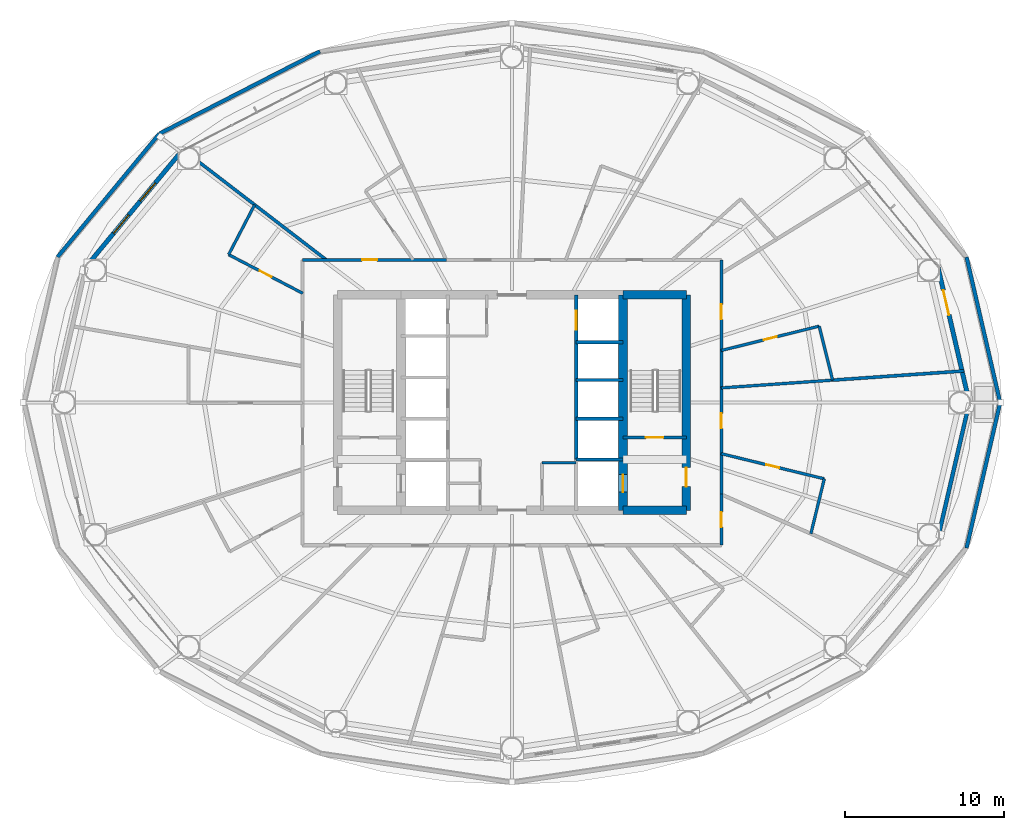
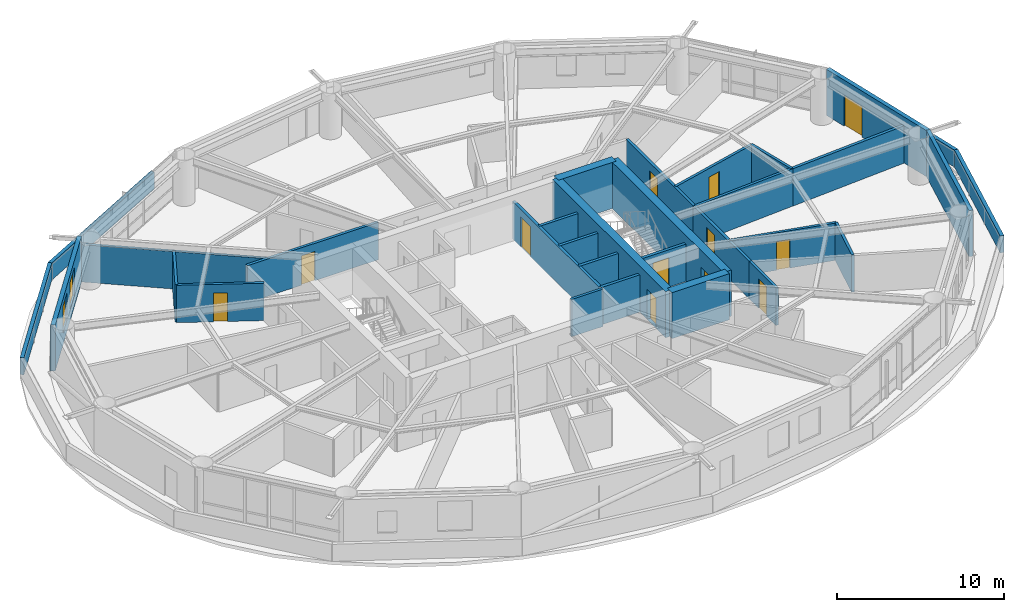
# One storey, part 21 of 25: 31 walls, 12 doors, 2 windows, 14 openings.
"""IFC4 building model written with IfcOpenShell, lengths in metres."""

from ifc_helpers import new_model, si_unit, direction, frame, frame_2d, origin, place, context, subcontext, project, spatial, rectangle, extrude, material, layer, layer_set, type_object, element, fill, save


model = new_model("IFC4")

# Units and contexts
model_context = context("Model", 3, precision=1e-05, world=origin(), true_north=direction((0.0, 1.0)))
body_context = subcontext(model_context, "Body", "Model", "MODEL_VIEW")
ifc_project = project(units=[si_unit("LENGTHUNIT", "METRE"), si_unit("AREAUNIT", "SQUARE_METRE"), si_unit("VOLUMEUNIT", "CUBIC_METRE"), si_unit("PLANEANGLEUNIT", "RADIAN"), si_unit("MASSUNIT", "GRAM", prefix="KILO")], contexts=[model_context])

# Site, building, storey
site_placement = place(None, origin())
site = spatial("IfcSite", under=ifc_project, at=site_placement, CompositionType="ELEMENT")
building_placement = place(site_placement, origin())
building = spatial("IfcBuilding", under=site, at=building_placement, Name="Sarneth Arch Tower", CompositionType="ELEMENT")
storey_placement = place(building_placement, frame((0.0, 0.0, 84.0)))
storey = spatial("IfcBuildingStorey", under=building, at=storey_placement, Name="L20", CompositionType="ELEMENT", Elevation=84.0)

# Walls
ifc_material_1 = material(Name="Concrete C60/75", Category="concrete")
ifc_layer_1 = layer(ifc_material_1, 0.550048828125)
ifc_layer_set_1 = layer_set([ifc_layer_1], Name="Concrete C60/75")
wall_type_1 = type_object("IfcWallType", Name="WALL-CORE-550", PredefinedType="SHEAR", material=ifc_layer_set_1)
for number, where, z_axis, x_axis, name in (
    (1, (55.0, 35.199951171875, 0.0), (0.0, 0.0, 1.0), (1.0, 0.0, 0.0), "L20 Core shear wall S-E"),
    (2, (55.0, 48.800048828125, 0.0), (0.0, 0.0, 1.0), (1.0, 0.0, 0.0), "L20 Core shear wall N-E"),
):
    element("IfcWall", number, at=place(storey_placement, frame(where, z_axis=z_axis, x_axis=x_axis)), inside=storey, type_object=wall_type_1, Name=name, PredefinedType="SHEAR", context=body_context, shape_type="SweptSolid", body=[
        extrude(rectangle(XDim=4.0, YDim=0.550048828125, at=frame_2d((2.0, 0.0))), origin(), (0.0, 0.0, 1.0), 3.3798828125),
    ])

# Wall, opening, door
wall_1_placement = place(storey_placement, frame((59.0, 35.199951171875, 0.0), z_axis=(0.0, 0.0, 1.0), x_axis=(0.0, 1.0, 0.0)))
wall_1 = element("IfcWall", 3, at=wall_1_placement, inside=storey, type_object=wall_type_1, Name="L20 Core shear wall E", PredefinedType="SHEAR", context=body_context, shape_type="SweptSolid", body=[
    extrude(rectangle(XDim=13.60009765625, YDim=0.550048828125, at=frame_2d((6.800048828125, 0.0))), origin(), (0.0, 0.0, 1.0), 3.3798828125),
])
opening_1_placement = place(wall_1_placement, frame((1.5, 0.0, 0.0)))
opening_1 = element("IfcOpeningElement", 4, at=opening_1_placement, cuts=wall_1, Name="Opening FD-02", PredefinedType="OPENING", context=body_context, shape_type="SweptSolid", body=[
    extrude(rectangle(XDim=1.199951171875, YDim=2.14990234375, at=frame_2d((0.60009765625, 1.074951171875))), frame((0.0, 0.284912109375, 0.0), z_axis=(0.0, -1.0, 0.0), x_axis=(1.0, 0.0, 0.0)), (0.0, 0.0, 1.0), 0.570068359375),
])
ifc_material_2 = material(Name="Galvanised Steel S275 fire door set", Category="steel")
door_type_1 = type_object("IfcDoorType", Name="DR-FD90-1200", OperationType="SINGLE_SWING_LEFT", PredefinedType="DOOR", material=ifc_material_2)
door_1_placement = place(opening_1_placement, origin())
door_1 = element("IfcDoor", 5, at=door_1_placement, inside=storey, type_object=door_type_1, Name="L20 Firefighting lobby 2 exit door", OperationType="SINGLE_SWING_RIGHT", OverallHeight=2.14990234375, OverallWidth=1.199951171875, PredefinedType="DOOR", context=body_context, shape_type="SweptSolid", body=[
    extrude(rectangle(XDim=1.199951171875, YDim=2.14990234375, at=frame_2d((0.60009765625, 1.074951171875))), frame((0.0, 0.02490234375, 0.0), z_axis=(0.0, -1.0, 0.0), x_axis=(1.0, 0.0, 0.0)), (0.0, 0.0, 1.0), 0.050048828125),
])
fill(opening_1, door_1)

wall_2_placement = place(storey_placement, frame((55.0, 35.199951171875, 0.0), z_axis=(0.0, 0.0, 1.0), x_axis=(0.0, 1.0, 0.0)))
wall_2 = element("IfcWall", 6, at=wall_2_placement, inside=storey, type_object=wall_type_1, Name="L20 Core shear wall WEB-E", PredefinedType="SHEAR", context=body_context, shape_type="SweptSolid", body=[
    extrude(rectangle(XDim=13.60009765625, YDim=0.550048828125, at=frame_2d((6.800048828125, 0.0))), origin(), (0.0, 0.0, 1.0), 3.3798828125),
])
opening_2_placement = place(wall_2_placement, frame((1.14990234375, 0.0, 0.0)))
opening_2 = element("IfcOpeningElement", 7, at=opening_2_placement, cuts=wall_2, Name="Opening LD-1", PredefinedType="OPENING", context=body_context, shape_type="SweptSolid", body=[
    extrude(rectangle(XDim=1.10009765625, YDim=2.199951171875, at=frame_2d((0.550048828125, 1.10009765625))), frame((0.0, 0.284912109375, 0.0), z_axis=(0.0, -1.0, 0.0), x_axis=(1.0, 0.0, 0.0)), (0.0, 0.0, 1.0), 0.570068359375),
])
ifc_material_3 = material(Name="Brushed Stainless Steel 304 lift landing door", Category="steel")
door_type_2 = type_object("IfcDoorType", Name="DR-LIFT-SLIDE-1100", OperationType="SLIDING_TO_LEFT", PredefinedType="DOOR", material=ifc_material_3)
door_2_placement = place(opening_2_placement, origin())
door_2 = element("IfcDoor", 8, at=door_2_placement, inside=storey, type_object=door_type_2, Name="L20 Firefighting lift landing door FL-2", OperationType="SLIDING_TO_RIGHT", OverallHeight=2.199951171875, OverallWidth=1.10009765625, PredefinedType="DOOR", context=body_context, shape_type="SweptSolid", body=[
    extrude(rectangle(XDim=1.10009765625, YDim=2.199951171875, at=frame_2d((0.550048828125, 1.10009765625))), frame((0.0, 0.02490234375, 0.0), z_axis=(0.0, -1.0, 0.0), x_axis=(1.0, 0.0, 0.0)), (0.0, 0.0, 1.0), 0.050048828125),
])
fill(opening_2, door_2)

ifc_material_4 = material(Name="Double steel-stud corridor fire wall", Category="steel")
ifc_layer_2 = layer(ifc_material_4, 0.18994140625)
ifc_layer_set_2 = layer_set([ifc_layer_2], Name="Double steel-stud corridor fire wall")
wall_type_2 = type_object("IfcWallType", Name="WALL-CORR-190", PredefinedType="PARTITIONING", material=ifc_layer_set_2)
wall_3_placement = place(storey_placement, frame((34.800048828125, 51.0, 0.0), z_axis=(0.0, 0.0, 1.0), x_axis=(1.0, 0.0, 0.0)))
wall_3 = element("IfcWall", 9, at=wall_3_placement, inside=storey, type_object=wall_type_2, Name="L20 Interior partition W-L20-TP-009", PredefinedType="PARTITIONING", context=body_context, shape_type="SweptSolid", body=[
    extrude(rectangle(XDim=9.08251953125, YDim=0.18994140625, at=frame_2d((4.541259765625, 0.0))), origin(), (0.0, 0.0, 1.0), 2.739990234375),
])
opening_3_placement = place(wall_3_placement, frame((3.741455078125, 0.0, 0.0)))
opening_3 = element("IfcOpeningElement", 10, at=opening_3_placement, cuts=wall_3, Name="Opening FD-09", PredefinedType="OPENING", context=body_context, shape_type="SweptSolid", body=[
    extrude(rectangle(XDim=0.949951171875, YDim=2.14990234375, at=frame_2d((0.47509765625, 1.074951171875))), frame((0.0, 0.10498046875, 0.0), z_axis=(0.0, -1.0, 0.0), x_axis=(1.0, 0.0, 0.0)), (0.0, 0.0, 1.0), 0.2099609375),
])
ifc_material_5 = material(Name="Hardwood timber hotel entrance fire door", Category="wood")
door_type_3 = type_object("IfcDoorType", Name="DR-FD60-950", OperationType="SINGLE_SWING_RIGHT", PredefinedType="DOOR", material=ifc_material_5)
door_3_placement = place(opening_3_placement, origin())
door_3 = element("IfcDoor", 11, at=door_3_placement, inside=storey, type_object=door_type_3, Name="L20 Interior door DR-L20-KEY-05", OperationType="SINGLE_SWING_LEFT", OverallHeight=2.14990234375, OverallWidth=0.949951171875, PredefinedType="DOOR", context=body_context, shape_type="SweptSolid", body=[
    extrude(rectangle(XDim=0.949951171875, YDim=2.14990234375, at=frame_2d((0.47509765625, 1.074951171875))), frame((0.0, 0.02490234375, 0.0), z_axis=(0.0, -1.0, 0.0), x_axis=(1.0, 0.0, 0.0)), (0.0, 0.0, 1.0), 0.050048828125),
])
fill(opening_3, door_3)

wall_4_placement = place(storey_placement, frame((61.199951171875, 51.0, 0.0), z_axis=(0.0, 0.0, 1.0), x_axis=(0.0, -1.0, 0.0)))
wall_4 = element("IfcWall", 12, at=wall_4_placement, inside=storey, type_object=wall_type_2, Name="L20 Interior partition W-L20-TP-001", PredefinedType="PARTITIONING", context=body_context, shape_type="SweptSolid", body=[
    extrude(rectangle(XDim=8.109130859375, YDim=0.18994140625, at=frame_2d((4.0546875, 0.0))), origin(), (0.0, 0.0, 1.0), 2.739990234375),
])
opening_4_placement = place(wall_4_placement, frame((2.805908203125, 0.0, 0.0)))
opening_4 = element("IfcOpeningElement", 13, at=opening_4_placement, cuts=wall_4, Name="Opening FD-09", PredefinedType="OPENING", context=body_context, shape_type="SweptSolid", body=[
    extrude(rectangle(XDim=0.949951171875, YDim=2.14990234375, at=frame_2d((0.47509765625, 1.074951171875))), frame((0.0, 0.10498046875, 0.0), z_axis=(0.0, -1.0, 0.0), x_axis=(1.0, 0.0, 0.0)), (0.0, 0.0, 1.0), 0.2099609375),
])
door_4_placement = place(opening_4_placement, origin())
door_4 = element("IfcDoor", 14, at=door_4_placement, inside=storey, type_object=door_type_3, Name="L20 Interior door DR-L20-KEY-01", OperationType="SINGLE_SWING_LEFT", OverallHeight=2.14990234375, OverallWidth=0.949951171875, PredefinedType="DOOR", context=body_context, shape_type="SweptSolid", body=[
    extrude(rectangle(XDim=0.949951171875, YDim=2.14990234375, at=frame_2d((0.47509765625, 1.074951171875))), frame((0.0, 0.02490234375, 0.0), z_axis=(0.0, -1.0, 0.0), x_axis=(1.0, 0.0, 0.0)), (0.0, 0.0, 1.0), 0.050048828125),
])
fill(opening_4, door_4)

wall_5_placement = place(storey_placement, frame((61.199951171875, 42.955078125, 0.0), z_axis=(0.0, 0.0, 1.0), x_axis=(0.0, -1.0, 0.0)))
wall_5 = element("IfcWall", 15, at=wall_5_placement, inside=storey, type_object=wall_type_2, Name="L20 Interior partition W-L20-TP-027", PredefinedType="PARTITIONING", context=body_context, shape_type="SweptSolid", body=[
    extrude(rectangle(XDim=6.7822265625, YDim=0.18994140625, at=frame_2d((3.39111328125, 0.0))), origin(), (0.0, 0.0, 1.0), 2.739990234375),
])
opening_5_placement = place(wall_5_placement, frame((1.630615234375, 0.0, 0.0)))
opening_5 = element("IfcOpeningElement", 16, at=opening_5_placement, cuts=wall_5, Name="Opening FD-09", PredefinedType="OPENING", context=body_context, shape_type="SweptSolid", body=[
    extrude(rectangle(XDim=0.949951171875, YDim=2.14990234375, at=frame_2d((0.47509765625, 1.074951171875))), frame((0.0, 0.10498046875, 0.0), z_axis=(0.0, -1.0, 0.0), x_axis=(1.0, 0.0, 0.0)), (0.0, 0.0, 1.0), 0.2099609375),
])
door_5_placement = place(opening_5_placement, origin())
door_5 = element("IfcDoor", 17, at=door_5_placement, inside=storey, type_object=door_type_3, Name="L20 Interior door DR-L20-KEY-13", OperationType="SINGLE_SWING_LEFT", OverallHeight=2.14990234375, OverallWidth=0.949951171875, PredefinedType="DOOR", context=body_context, shape_type="SweptSolid", body=[
    extrude(rectangle(XDim=0.949951171875, YDim=2.14990234375, at=frame_2d((0.47509765625, 1.074951171875))), frame((0.0, 0.02490234375, 0.0), z_axis=(0.0, -1.0, 0.0), x_axis=(1.0, 0.0, 0.0)), (0.0, 0.0, 1.0), 0.050048828125),
])
fill(opening_5, door_5)

wall_6_placement = place(storey_placement, frame((61.199951171875, 36.24267578125, 0.0), z_axis=(0.0, 0.0, 1.0), x_axis=(0.0, -1.0, 0.0)))
wall_6 = element("IfcWall", 18, at=wall_6_placement, inside=storey, type_object=wall_type_2, Name="L20 Interior partition W-L20-TP-024", PredefinedType="PARTITIONING", context=body_context, shape_type="SweptSolid", body=[
    extrude(rectangle(XDim=3.24267578125, YDim=0.18994140625, at=frame_2d((1.621337890625, 0.0))), origin(), (0.0, 0.0, 1.0), 2.739990234375),
])
opening_6_placement = place(wall_6_placement, frame((1.146240234375, 0.0, 0.0)))
opening_6 = element("IfcOpeningElement", 19, at=opening_6_placement, cuts=wall_6, Name="Opening FD-09", PredefinedType="OPENING", context=body_context, shape_type="SweptSolid", body=[
    extrude(rectangle(XDim=0.949951171875, YDim=2.14990234375, at=frame_2d((0.47509765625, 1.074951171875))), frame((0.0, 0.10498046875, 0.0), z_axis=(0.0, -1.0, 0.0), x_axis=(1.0, 0.0, 0.0)), (0.0, 0.0, 1.0), 0.2099609375),
])
door_6_placement = place(opening_6_placement, origin())
door_6 = element("IfcDoor", 20, at=door_6_placement, inside=storey, type_object=door_type_3, Name="L20 Interior door DR-L20-KEY-12", OperationType="SINGLE_SWING_RIGHT", OverallHeight=2.14990234375, OverallWidth=0.949951171875, PredefinedType="DOOR", context=body_context, shape_type="SweptSolid", body=[
    extrude(rectangle(XDim=0.949951171875, YDim=2.14990234375, at=frame_2d((0.47509765625, 1.074951171875))), frame((0.0, 0.02490234375, 0.0), z_axis=(0.0, -1.0, 0.0), x_axis=(1.0, 0.0, 0.0)), (0.0, 0.0, 1.0), 0.050048828125),
])
fill(opening_6, door_6)

# Wall
ifc_material_6 = material(Name="Extruded terracotta rainscreen on Concrete C40/50 backing", Category="masonry")
ifc_layer_3 = layer(ifc_material_6, 0.25)
ifc_layer_set_3 = layer_set([ifc_layer_3], Name="Extruded terracotta rainscreen on Concrete C40/50 backing")
wall_type_3 = type_object("IfcWallType", Name="WALL-EXT-SPAND-250", PredefinedType="SOLIDWALL", material=ifc_layer_set_3)
wall_7_placement = place(storey_placement, frame((74.861328125, 33.41650390625, 0.0), z_axis=(0.0, 0.0, 1.0), x_axis=(0.22558597182, 0.974223264616, 0.0)))
element("IfcWall", 21, at=wall_7_placement, inside=storey, type_object=wall_type_3, Name="L20 Terracotta perimeter wall 16", PredefinedType="SOLIDWALL", context=body_context, shape_type="SweptSolid", body=[
    extrude(rectangle(XDim=8.810546875, YDim=0.25, at=frame_2d((4.4052734375, 0.0))), origin(), (0.0, 0.0, 1.0), 3.3798828125),
])

# Wall, opening, door
ifc_material_7 = material(Name="Extruded terracotta rainscreen on Concrete C40/50 backing", Category="masonry")
ifc_layer_4 = layer(ifc_material_7, 0.280029296875)
ifc_layer_set_4 = layer_set([ifc_layer_4], Name="Extruded terracotta rainscreen on Concrete C40/50 backing")
wall_type_4 = type_object("IfcWallType", Name="WALL-EXT-TERRA-280", PredefinedType="SOLIDWALL", material=ifc_layer_set_4)
wall_8_placement = place(storey_placement, frame((76.848876953125, 42.0, 0.0), z_axis=(0.0, 0.0, 1.0), x_axis=(-0.22558597182, 0.974223264616, 0.0)))
wall_8 = element("IfcWall", 22, at=wall_8_placement, inside=storey, type_object=wall_type_4, Name="L20 Terracotta perimeter wall 01", PredefinedType="SOLIDWALL", context=body_context, shape_type="SweptSolid", body=[
    extrude(rectangle(XDim=8.810546875, YDim=0.280029296875, at=frame_2d((4.4052734375, 0.0))), origin(), (0.0, 0.0, 1.0), 3.3798828125),
])
opening_7_placement = place(wall_8_placement, frame((5.674560546875, 0.0, 0.0)))
opening_7 = element("IfcOpeningElement", 23, at=opening_7_placement, cuts=wall_8, Name="Opening BD-1", PredefinedType="OPENING", context=body_context, shape_type="SweptSolid", body=[
    extrude(rectangle(XDim=1.60009765625, YDim=2.25, at=frame_2d((0.800048828125, 1.125))), frame((0.0, 0.14990234375, 0.0), z_axis=(0.0, -1.0, 0.0), x_axis=(1.0, 0.0, 0.0)), (0.0, 0.0, 1.0), 0.300048828125),
])
ifc_material_8 = material(Name="Thermally broken Aluminium 6063-T6 and laminated safety glass", Category="aluminium")
door_type_4 = type_object("IfcDoorType", Name="DR-BALC-GLZ-1600", OperationType="DOUBLE_DOOR_SINGLE_SWING", PredefinedType="DOOR", material=ifc_material_8)
door_7_placement = place(opening_7_placement, origin())
door_7 = element("IfcDoor", 24, at=door_7_placement, inside=storey, type_object=door_type_4, Name="L20 Maintenance roof access door 01", OperationType="DOUBLE_DOOR_SINGLE_SWING", OverallHeight=2.25, OverallWidth=1.60009765625, PredefinedType="DOOR", context=body_context, shape_type="SweptSolid", body=[
    extrude(rectangle(XDim=1.60009765625, YDim=2.25, at=frame_2d((0.800048828125, 1.125))), frame((0.0, 0.02490234375, 0.0), z_axis=(0.0, -1.0, 0.0), x_axis=(1.0, 0.0, 0.0)), (0.0, 0.0, 1.0), 0.050048828125),
])
fill(opening_7, door_7)

# Wall, openings, windows
wall_9_placement = place(storey_placement, frame((27.159912109375, 57.8603515625, 0.0), z_axis=(0.0, 0.0, 1.0), x_axis=(-0.637505817448, -0.770445541696, 0.0)))
wall_9 = element("IfcWall", 25, at=wall_9_placement, inside=storey, type_object=wall_type_4, Name="L20 Terracotta perimeter wall 07", PredefinedType="SOLIDWALL", context=body_context, shape_type="SweptSolid", body=[
    extrude(rectangle(XDim=9.445068359375, YDim=0.280029296875, at=frame_2d((4.72265625, 0.0))), origin(), (0.0, 0.0, 1.0), 3.3798828125),
])
opening_8_placement = place(wall_9_placement, frame((2.5966796875, 0.0, 0.85009765625)))
opening_8 = element("IfcOpeningElement", 26, at=opening_8_placement, cuts=wall_9, Name="Opening W-06", PredefinedType="OPENING", context=body_context, shape_type="SweptSolid", body=[
    extrude(rectangle(XDim=1.5, YDim=2.0, at=frame_2d((0.75, 1.0))), frame((0.0, 0.14990234375, 0.0), z_axis=(0.0, -1.0, 0.0), x_axis=(1.0, 0.0, 0.0)), (0.0, 0.0, 1.0), 0.300048828125),
])
opening_9_placement = place(wall_9_placement, frame((5.23193359375, 0.0, 0.85009765625)))
opening_9 = element("IfcOpeningElement", 27, at=opening_9_placement, cuts=wall_9, Name="Opening W-06", PredefinedType="OPENING", context=body_context, shape_type="SweptSolid", body=[
    extrude(rectangle(XDim=1.5, YDim=2.0, at=frame_2d((0.75, 1.0))), frame((0.0, 0.14990234375, 0.0), z_axis=(0.0, -1.0, 0.0), x_axis=(1.0, 0.0, 0.0)), (0.0, 0.0, 1.0), 0.300048828125),
])
ifc_material_9 = material(Name="Thermally broken Aluminium 6063-T6 and low-e laminated IGU", Category="aluminium")
window_type = type_object("IfcWindowType", Name="WIN-TWR-1500x2000", PartitioningType="SINGLE_PANEL", PredefinedType="WINDOW", material=ifc_material_9)
window_1_placement = place(opening_8_placement, origin())
window_1 = element("IfcWindow", 28, at=window_1_placement, inside=storey, type_object=window_type, Name="L20 Exterior window 07A", OverallHeight=2.0, OverallWidth=1.5, PartitioningType="SINGLE_PANEL", PredefinedType="WINDOW", context=body_context, shape_type="SweptSolid", body=[
    extrude(rectangle(XDim=1.5, YDim=2.0, at=frame_2d((0.75, 1.0))), frame((0.0, 0.030029296875, 0.0), z_axis=(0.0, -1.0, 0.0), x_axis=(1.0, 0.0, 0.0)), (0.0, 0.0, 1.0), 0.06005859375),
])
fill(opening_8, window_1)
window_2_placement = place(opening_9_placement, origin())
window_2 = element("IfcWindow", 29, at=window_2_placement, inside=storey, type_object=window_type, Name="L20 Exterior window 07B", OverallHeight=2.0, OverallWidth=1.5, PartitioningType="SINGLE_PANEL", PredefinedType="WINDOW", context=body_context, shape_type="SweptSolid", body=[
    extrude(rectangle(XDim=1.5, YDim=2.0, at=frame_2d((0.75, 1.0))), frame((0.0, 0.030029296875, 0.0), z_axis=(0.0, -1.0, 0.0), x_axis=(1.0, 0.0, 0.0)), (0.0, 0.0, 1.0), 0.06005859375),
])
fill(opening_9, window_2)

# Walls
ifc_material_10 = material(Name="Extruded terracotta rainscreen on Concrete C40/50 backing", Category="masonry")
ifc_layer_5 = layer(ifc_material_10, 0.239990234375)
ifc_layer_set_5 = layer_set([ifc_layer_5], Name="Extruded terracotta rainscreen on Concrete C40/50 backing")
wall_type_5 = type_object("IfcWallType", Name="WALL-PARAPET-240", PredefinedType="PARAPET", material=ifc_layer_set_5)
wall_10_placement = place(storey_placement, frame((78.79296875, 42.0, 0.0), z_axis=(0.0, 0.0, 1.0), x_axis=(-0.225249461705, 0.974301123884, 0.0)))
element("IfcWall", 30, at=wall_10_placement, inside=storey, type_object=wall_type_5, Name="L20 Setback roof parapet 01", PredefinedType="PARAPET", context=body_context, shape_type="SweptSolid", body=[
    extrude(rectangle(XDim=9.418701171875, YDim=0.239990234375, at=frame_2d((4.70947265625, 0.0))), origin(), (0.0, 0.0, 1.0), 1.25),
])
wall_11_placement = place(storey_placement, frame((35.8837890625, 64.154541015625, 0.0), z_axis=(0.0, 0.0, 1.0), x_axis=(-0.889663800129, -0.456616165658, 0.0)))
element("IfcWall", 31, at=wall_11_placement, inside=storey, type_object=wall_type_5, Name="L20 Setback roof parapet 06", PredefinedType="PARAPET", context=body_context, shape_type="SweptSolid", body=[
    extrude(rectangle(XDim=11.38427734375, YDim=0.239990234375, at=frame_2d((5.692138671875, 0.0))), origin(), (0.0, 0.0, 1.0), 1.25),
])
wall_12_placement = place(storey_placement, frame((25.755615234375, 58.956298828125, 0.0), z_axis=(0.0, 0.0, 1.0), x_axis=(-0.636906456166, -0.770941091196, 0.0)))
element("IfcWall", 32, at=wall_12_placement, inside=storey, type_object=wall_type_5, Name="L20 Setback roof parapet 07", PredefinedType="PARAPET", context=body_context, shape_type="SweptSolid", body=[
    extrude(rectangle(XDim=10.091064453125, YDim=0.239990234375, at=frame_2d((5.04541015625, 0.0))), origin(), (0.0, 0.0, 1.0), 1.25),
])
wall_13_placement = place(storey_placement, frame((76.67138671875, 32.8232421875, 0.0), z_axis=(0.0, 0.0, 1.0), x_axis=(0.225249461705, 0.974301123884, 0.0)))
element("IfcWall", 33, at=wall_13_placement, inside=storey, type_object=wall_type_5, Name="L20 Setback roof parapet 16", PredefinedType="PARAPET", context=body_context, shape_type="SweptSolid", body=[
    extrude(rectangle(XDim=9.418701171875, YDim=0.239990234375, at=frame_2d((4.70947265625, 0.0))), origin(), (0.0, 0.0, 1.0), 1.25),
])
ifc_material_11 = material(Name="Moisture-resistant plumbing chase wall", Category="gypsum")
ifc_layer_6 = layer(ifc_material_11, 0.179931640625)
ifc_layer_set_6 = layer_set([ifc_layer_6], Name="Moisture-resistant plumbing chase wall")
wall_type_6 = type_object("IfcWallType", Name="WALL-PLUMB-180", PredefinedType="PLUMBINGWALL", material=ifc_layer_set_6)
wall_14_placement = place(storey_placement, frame((49.89990234375, 38.199951171875, 0.0), z_axis=(0.0, 0.0, 1.0), x_axis=(1.0, 0.0, 0.0)))
element("IfcWall", 34, at=wall_14_placement, inside=storey, type_object=wall_type_6, Name="L20 Interior partition W-L20-AWC-N", PredefinedType="PLUMBINGWALL", context=body_context, shape_type="SweptSolid", body=[
    extrude(rectangle(XDim=2.150146484375, YDim=0.179931640625, at=frame_2d((1.0751953125, 0.0))), origin(), (0.0, 0.0, 1.0), 2.739990234375),
])
wall_15_placement = place(storey_placement, frame((68.224365234375, 43.414306640625, 0.0), z_axis=(0.0, 0.0, 1.0), x_axis=(-0.997563891584, -0.06975874287, 0.0)))
element("IfcWall", 35, at=wall_15_placement, inside=storey, type_object=wall_type_6, Name="L20 Interior partition W-L20-TP-034", PredefinedType="PLUMBINGWALL", context=body_context, shape_type="SweptSolid", body=[
    extrude(rectangle(XDim=7.04150390625, YDim=0.179931640625, at=frame_2d((3.520751953125, 0.0))), origin(), (0.0, 0.0, 1.0), 2.739990234375),
])

# Wall, opening, door
wall_16_placement = place(storey_placement, frame((67.69873046875, 37.189453125, 0.0), z_axis=(0.0, 0.0, 1.0), x_axis=(-0.971448370468, 0.237251055878, 0.0)))
wall_16 = element("IfcWall", 36, at=wall_16_placement, inside=storey, type_object=wall_type_6, Name="L20 Interior partition W-L20-TP-074", PredefinedType="PLUMBINGWALL", context=body_context, shape_type="SweptSolid", body=[
    extrude(rectangle(XDim=6.689697265625, YDim=0.179931640625, at=frame_2d((3.3447265625, 0.0))), origin(), (0.0, 0.0, 1.0), 2.739990234375),
])
opening_10_placement = place(wall_16_placement, frame((2.919921875, 0.0, 0.0)))
opening_10 = element("IfcOpeningElement", 37, at=opening_10_placement, cuts=wall_16, Name="Opening ID-02", PredefinedType="OPENING", context=body_context, shape_type="SweptSolid", body=[
    extrude(rectangle(XDim=0.85009765625, YDim=2.10009765625, at=frame_2d((0.425048828125, 1.050048828125))), frame((0.0, 0.099853515625, 0.0), z_axis=(0.0, -1.0, 0.0), x_axis=(1.0, 0.0, 0.0)), (0.0, 0.0, 1.0), 0.199951171875),
])
ifc_material_12 = material(Name="Moisture-resistant bathroom timber door", Category="wood")
door_type_5 = type_object("IfcDoorType", Name="DR-INT-850", OperationType="SINGLE_SWING_RIGHT", PredefinedType="DOOR", material=ifc_material_12)
door_8_placement = place(opening_10_placement, origin())
door_8 = element("IfcDoor", 38, at=door_8_placement, inside=storey, type_object=door_type_5, Name="L20 Interior door DR-L20-ENS-13", OperationType="SINGLE_SWING_LEFT", OverallHeight=2.10009765625, OverallWidth=0.85009765625, PredefinedType="DOOR", context=body_context, shape_type="SweptSolid", body=[
    extrude(rectangle(XDim=0.85009765625, YDim=2.10009765625, at=frame_2d((0.425048828125, 1.050048828125))), frame((0.0, 0.02490234375, 0.0), z_axis=(0.0, -1.0, 0.0), x_axis=(1.0, 0.0, 0.0)), (0.0, 0.0, 1.0), 0.050048828125),
])
fill(opening_10, door_8)

wall_17_placement = place(storey_placement, frame((61.199951171875, 45.28369140625, 0.0), z_axis=(0.0, 0.0, 1.0), x_axis=(0.970426102609, 0.241398383125, 0.0)))
wall_17 = element("IfcWall", 39, at=wall_17_placement, inside=storey, type_object=wall_type_6, Name="L20 Interior partition W-L20-TP-029", PredefinedType="PLUMBINGWALL", context=body_context, shape_type="SweptSolid", body=[
    extrude(rectangle(XDim=6.365478515625, YDim=0.179931640625, at=frame_2d((3.1826171875, 0.0))), origin(), (0.0, 0.0, 1.0), 2.739990234375),
])
opening_11_placement = place(wall_17_placement, frame((2.7578125, 0.0, 0.0)))
opening_11 = element("IfcOpeningElement", 40, at=opening_11_placement, cuts=wall_17, Name="Opening ID-02", PredefinedType="OPENING", context=body_context, shape_type="SweptSolid", body=[
    extrude(rectangle(XDim=0.85009765625, YDim=2.10009765625, at=frame_2d((0.425048828125, 1.050048828125))), frame((0.0, 0.099853515625, 0.0), z_axis=(0.0, -1.0, 0.0), x_axis=(1.0, 0.0, 0.0)), (0.0, 0.0, 1.0), 0.199951171875),
])
door_9_placement = place(opening_11_placement, origin())
door_9 = element("IfcDoor", 41, at=door_9_placement, inside=storey, type_object=door_type_5, Name="L20 Interior door DR-L20-ENS-01", OperationType="SINGLE_SWING_LEFT", OverallHeight=2.10009765625, OverallWidth=0.85009765625, PredefinedType="DOOR", context=body_context, shape_type="SweptSolid", body=[
    extrude(rectangle(XDim=0.85009765625, YDim=2.10009765625, at=frame_2d((0.425048828125, 1.050048828125))), frame((0.0, 0.02490234375, 0.0), z_axis=(0.0, -1.0, 0.0), x_axis=(1.0, 0.0, 0.0)), (0.0, 0.0, 1.0), 0.050048828125),
])
fill(opening_11, door_9)

wall_18_placement = place(storey_placement, frame((30.1259765625, 51.33203125, 0.0), z_axis=(0.0, 0.0, 1.0), x_axis=(0.886465103711, -0.462795440668, 0.0)))
wall_18 = element("IfcWall", 42, at=wall_18_placement, inside=storey, type_object=wall_type_6, Name="L20 Interior partition W-L20-TP-049", PredefinedType="PLUMBINGWALL", context=body_context, shape_type="SweptSolid", body=[
    extrude(rectangle(XDim=5.272705078125, YDim=0.179931640625, at=frame_2d((2.63623046875, 0.0))), origin(), (0.0, 0.0, 1.0), 2.739990234375),
])
opening_12_placement = place(wall_18_placement, frame((2.211181640625, 0.0, 0.0)))
opening_12 = element("IfcOpeningElement", 43, at=opening_12_placement, cuts=wall_18, Name="Opening ID-02", PredefinedType="OPENING", context=body_context, shape_type="SweptSolid", body=[
    extrude(rectangle(XDim=0.85009765625, YDim=2.10009765625, at=frame_2d((0.425048828125, 1.050048828125))), frame((0.0, 0.099853515625, 0.0), z_axis=(0.0, -1.0, 0.0), x_axis=(1.0, 0.0, 0.0)), (0.0, 0.0, 1.0), 0.199951171875),
])
door_10_placement = place(opening_12_placement, origin())
door_10 = element("IfcDoor", 44, at=door_10_placement, inside=storey, type_object=door_type_5, Name="L20 Interior door DR-L20-ENS-06", OperationType="SINGLE_SWING_RIGHT", OverallHeight=2.10009765625, OverallWidth=0.85009765625, PredefinedType="DOOR", context=body_context, shape_type="SweptSolid", body=[
    extrude(rectangle(XDim=0.85009765625, YDim=2.10009765625, at=frame_2d((0.425048828125, 1.050048828125))), frame((0.0, 0.02490234375, 0.0), z_axis=(0.0, -1.0, 0.0), x_axis=(1.0, 0.0, 0.0)), (0.0, 0.0, 1.0), 0.050048828125),
])
fill(opening_12, door_10)

# Walls
wall_19_placement = place(storey_placement, frame((66.853271484375, 33.72705078125, 0.0), z_axis=(0.0, 0.0, 1.0), x_axis=(0.237213207876, 0.971457613079, 0.0)))
element("IfcWall", 45, at=wall_19_placement, inside=storey, type_object=wall_type_6, Name="L20 Interior partition W-L20-TP-073", PredefinedType="PLUMBINGWALL", context=body_context, shape_type="SweptSolid", body=[
    extrude(rectangle(XDim=3.564208984375, YDim=0.179931640625, at=frame_2d((1.7822265625, 0.0))), origin(), (0.0, 0.0, 1.0), 2.739990234375),
])
wall_20_placement = place(storey_placement, frame((31.766357421875, 54.473876953125, 0.0), z_axis=(0.0, 0.0, 1.0), x_axis=(-0.462822582901, -0.886450933079, 0.0)))
element("IfcWall", 46, at=wall_20_placement, inside=storey, type_object=wall_type_6, Name="L20 Interior partition W-L20-TP-048", PredefinedType="PLUMBINGWALL", context=body_context, shape_type="SweptSolid", body=[
    extrude(rectangle(XDim=3.544189453125, YDim=0.179931640625, at=frame_2d((1.77197265625, 0.0))), origin(), (0.0, 0.0, 1.0), 2.739990234375),
])
wall_21_placement = place(storey_placement, frame((67.377197265625, 46.8203125, 0.0), z_axis=(0.0, 0.0, 1.0), x_axis=(0.241373388957, -0.970432319692, 0.0)))
element("IfcWall", 47, at=wall_21_placement, inside=storey, type_object=wall_type_6, Name="L20 Interior partition W-L20-TP-030", PredefinedType="PLUMBINGWALL", context=body_context, shape_type="SweptSolid", body=[
    extrude(rectangle(XDim=3.509765625, YDim=0.179931640625, at=frame_2d((1.7548828125, 0.0))), origin(), (0.0, 0.0, 1.0), 2.739990234375),
])

# Wall, opening, door
ifc_material_13 = material(Name="Aerated concrete blockwork C25/30", Category="masonry")
ifc_layer_7 = layer(ifc_material_13, 0.199951171875)
ifc_layer_set_7 = layer_set([ifc_layer_7], Name="Aerated concrete blockwork C25/30")
wall_type_7 = type_object("IfcWallType", Name="WALL-SHAFT-200", PredefinedType="SOLIDWALL", material=ifc_layer_set_7)
wall_22_placement = place(storey_placement, frame((55.0, 39.800048828125, 0.0), z_axis=(0.0, 0.0, 1.0), x_axis=(1.0, 0.0, 0.0)))
wall_22 = element("IfcWall", 48, at=wall_22_placement, inside=storey, type_object=wall_type_7, Name="L20 Interior partition W-L20-ST2-S", PredefinedType="SOLIDWALL", context=body_context, shape_type="SweptSolid", body=[
    extrude(rectangle(XDim=4.0, YDim=0.199951171875, at=frame_2d((2.0, 0.0))), origin(), (0.0, 0.0, 1.0), 2.739990234375),
])
opening_13_placement = place(wall_22_placement, frame((1.449951171875, 0.0, 0.0)))
opening_13 = element("IfcOpeningElement", 49, at=opening_13_placement, cuts=wall_22, Name="Opening FD-03", PredefinedType="OPENING", context=body_context, shape_type="SweptSolid", body=[
    extrude(rectangle(XDim=1.10009765625, YDim=2.14990234375, at=frame_2d((0.550048828125, 1.074951171875))), frame((0.0, 0.10986328125, 0.0), z_axis=(0.0, -1.0, 0.0), x_axis=(1.0, 0.0, 0.0)), (0.0, 0.0, 1.0), 0.219970703125),
])
ifc_material_14 = material(Name="Galvanised Steel S275 fire door set", Category="steel")
door_type_6 = type_object("IfcDoorType", Name="DR-FD90-1100", OperationType="SINGLE_SWING_LEFT", PredefinedType="DOOR", material=ifc_material_14)
door_11_placement = place(opening_13_placement, origin())
door_11 = element("IfcDoor", 50, at=door_11_placement, inside=storey, type_object=door_type_6, Name="L20 Interior door DR-L20-ST2", OperationType="SINGLE_SWING_RIGHT", OverallHeight=2.14990234375, OverallWidth=1.10009765625, PredefinedType="DOOR", context=body_context, shape_type="SweptSolid", body=[
    extrude(rectangle(XDim=1.10009765625, YDim=2.14990234375, at=frame_2d((0.550048828125, 1.074951171875))), frame((0.0, 0.02490234375, 0.0), z_axis=(0.0, -1.0, 0.0), x_axis=(1.0, 0.0, 0.0)), (0.0, 0.0, 1.0), 0.050048828125),
])
fill(opening_13, door_11)

# Wall
wall_23_placement = place(storey_placement, frame((52.050048828125, 38.39990234375, 0.0), z_axis=(0.0, 0.0, 1.0), x_axis=(1.0, 0.0, 0.0)))
element("IfcWall", 51, at=wall_23_placement, inside=storey, type_object=wall_type_7, Name="L20 Interior partition W-L20-FL2-N", PredefinedType="SOLIDWALL", context=body_context, shape_type="SweptSolid", body=[
    extrude(rectangle(XDim=2.949951171875, YDim=0.199951171875, at=frame_2d((1.47509765625, 0.0))), origin(), (0.0, 0.0, 1.0), 2.739990234375),
])

# Wall, opening, door
wall_24_placement = place(storey_placement, frame((52.050048828125, 38.39990234375, 0.0), z_axis=(0.0, 0.0, 1.0), x_axis=(0.0, 1.0, 0.0)))
wall_24 = element("IfcWall", 52, at=wall_24_placement, inside=storey, type_object=wall_type_7, Name="L20 Interior partition W-L20-EASTBANK-FRONT", PredefinedType="SOLIDWALL", context=body_context, shape_type="SweptSolid", body=[
    extrude(rectangle(XDim=10.400146484375, YDim=0.199951171875, at=frame_2d((5.2001953125, 0.0))), origin(), (0.0, 0.0, 1.0), 2.739990234375),
])
opening_14_placement = place(wall_24_placement, frame((8.199951171875, 0.0, 0.0)))
opening_14 = element("IfcOpeningElement", 53, at=opening_14_placement, cuts=wall_24, Name="Opening LD-2", PredefinedType="OPENING", context=body_context, shape_type="SweptSolid", body=[
    extrude(rectangle(XDim=1.199951171875, YDim=2.199951171875, at=frame_2d((0.60009765625, 1.10009765625))), frame((0.0, 0.10986328125, 0.0), z_axis=(0.0, -1.0, 0.0), x_axis=(1.0, 0.0, 0.0)), (0.0, 0.0, 1.0), 0.219970703125),
])
ifc_material_15 = material(Name="Brushed Stainless Steel 304 service lift door", Category="steel")
door_type_7 = type_object("IfcDoorType", Name="DR-LIFT-SLIDE-1200", OperationType="SLIDING_TO_RIGHT", PredefinedType="DOOR", material=ifc_material_15)
door_12_placement = place(opening_14_placement, origin())
door_12 = element("IfcDoor", 54, at=door_12_placement, inside=storey, type_object=door_type_7, Name="L20 Lift landing door DR-L20-LD-SL1", OperationType="SLIDING_TO_RIGHT", OverallHeight=2.199951171875, OverallWidth=1.199951171875, PredefinedType="DOOR", context=body_context, shape_type="SweptSolid", body=[
    extrude(rectangle(XDim=1.199951171875, YDim=2.199951171875, at=frame_2d((0.60009765625, 1.10009765625))), frame((0.0, 0.02490234375, 0.0), z_axis=(0.0, -1.0, 0.0), x_axis=(1.0, 0.0, 0.0)), (0.0, 0.0, 1.0), 0.050048828125),
])
fill(opening_14, door_12)

# Walls
for number, where, z_axis, x_axis, name in (
    (55, (52.050048828125, 40.97998046875, 0.0), (0.0, 0.0, 1.0), (1.0, 0.0, 0.0), "L20 Interior partition W-L20-EB-DIV-4098"),
    (56, (52.050048828125, 43.419921875, 0.0), (0.0, 0.0, 1.0), (1.0, 0.0, 0.0), "L20 Interior partition W-L20-EB-DIV-4342"),
    (57, (52.050048828125, 45.800048828125, 0.0), (0.0, 0.0, 1.0), (1.0, 0.0, 0.0), "L20 Interior partition W-L20-EB-DIV-4580"),
):
    element("IfcWall", number, at=place(storey_placement, frame(where, z_axis=z_axis, x_axis=x_axis)), inside=storey, type_object=wall_type_7, Name=name, PredefinedType="SOLIDWALL", context=body_context, shape_type="SweptSolid", body=[
        extrude(rectangle(XDim=2.949951171875, YDim=0.199951171875, at=frame_2d((1.47509765625, 0.0))), origin(), (0.0, 0.0, 1.0), 2.739990234375),
    ])
ifc_material_16 = material(Name="Double steel-stud acoustic drywall", Category="steel")
ifc_layer_8 = layer(ifc_material_16, 0.199951171875)
ifc_layer_set_8 = layer_set([ifc_layer_8], Name="Double steel-stud acoustic drywall")
wall_type_8 = type_object("IfcWallType", Name="WALL-UNIT-200", PredefinedType="PARTITIONING", material=ifc_layer_set_8)
wall_25_placement = place(storey_placement, frame((76.509033203125, 43.99365234375, 0.0), z_axis=(0.0, 0.0, 1.0), x_axis=(-0.997563838401, -0.069759503404, 0.0)))
element("IfcWall", 58, at=wall_25_placement, inside=storey, type_object=wall_type_8, Name="L20 Interior partition W-L20-TP-033", PredefinedType="PARTITIONING", context=body_context, shape_type="SweptSolid", body=[
    extrude(rectangle(XDim=8.304931640625, YDim=0.199951171875, at=frame_2d((4.15234375, 0.0))), origin(), (0.0, 0.0, 1.0), 2.739990234375),
])
wall_26_placement = place(storey_placement, frame((36.287353515625, 51.0, 0.0), z_axis=(0.0, 0.0, 1.0), x_axis=(-0.792955910196, 0.609279020224, 0.0)))
element("IfcWall", 59, at=wall_26_placement, inside=storey, type_object=wall_type_8, Name="L20 Interior partition W-L20-TP-046", PredefinedType="PARTITIONING", context=body_context, shape_type="SweptSolid", body=[
    extrude(rectangle(XDim=11.480224609375, YDim=0.199951171875, at=frame_2d((5.740234375, 0.0))), origin(), (0.0, 0.0, 1.0), 2.739990234375),
])

save(model, "model.ifc")
